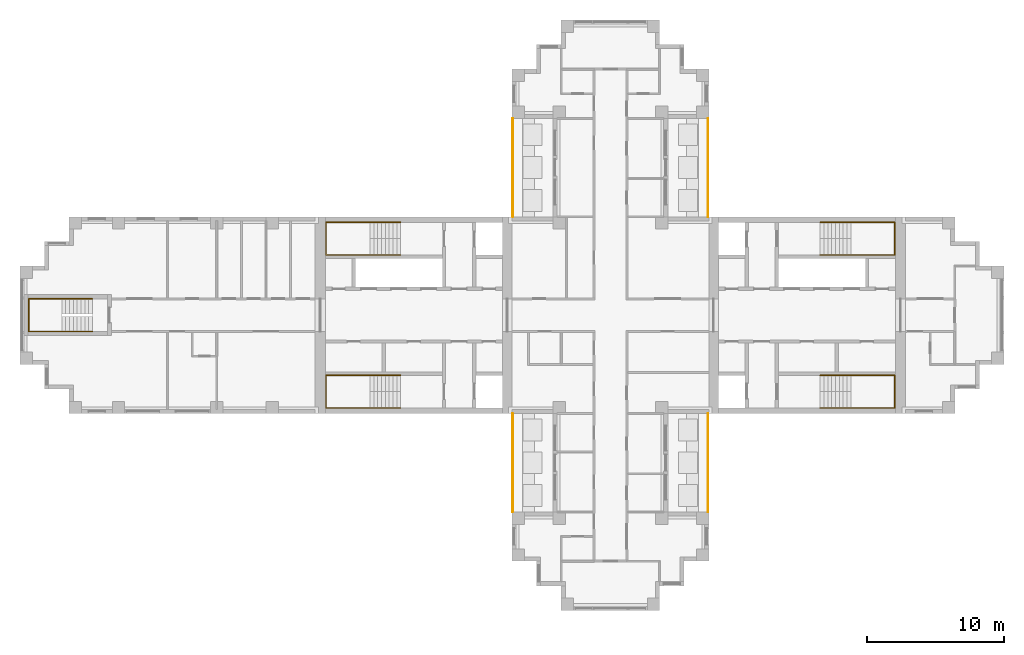
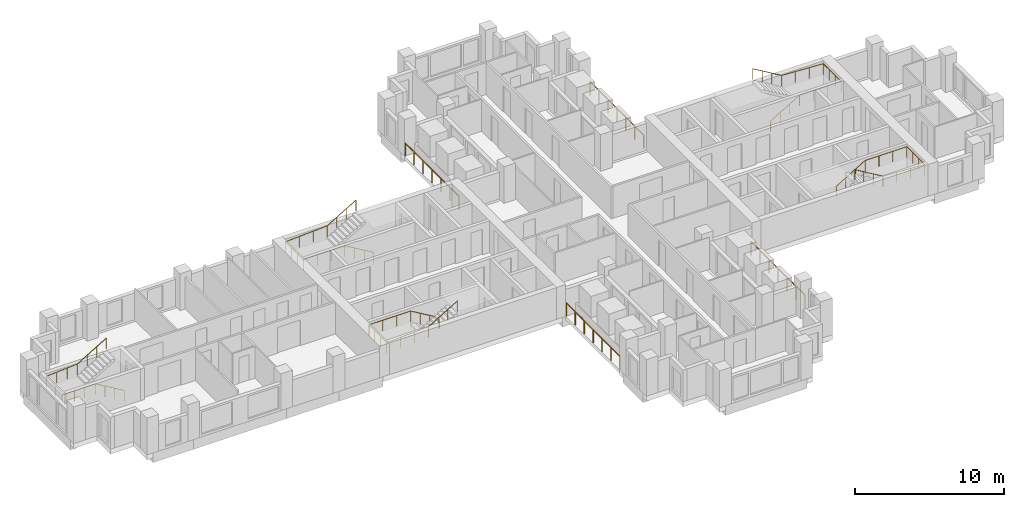
# One storey, part 10 of 11: 9 railings.
"""IFC4 building model written with IfcOpenShell, lengths in metres."""

from ifc_helpers import new_model, si_unit, direction, frame, origin, origin_2d, place, context, subcontext, project, spatial, circle, extrude, material, type_object, element, save


model = new_model("IFC4")

# Units and contexts
model_context = context("Model", 3, precision=1e-05, world=origin(), true_north=direction((0.0, 1.0)))
body_context = subcontext(model_context, "Body", "Model", "MODEL_VIEW")
ifc_project = project(units=[si_unit("LENGTHUNIT", "METRE"), si_unit("AREAUNIT", "SQUARE_METRE"), si_unit("VOLUMEUNIT", "CUBIC_METRE"), si_unit("PLANEANGLEUNIT", "RADIAN"), si_unit("MASSUNIT", "GRAM", prefix="KILO")], contexts=[model_context])

# Site, building, storey
site_placement = place(None, origin())
site = spatial("IfcSite", under=ifc_project, at=site_placement, CompositionType="ELEMENT")
building_placement = place(site_placement, origin())
building = spatial("IfcBuilding", under=site, at=building_placement, Name="Fustian Cross Tower", CompositionType="ELEMENT")
storey_placement = place(building_placement, frame((0.0, 0.0, 173.699951171875)))
storey = spatial("IfcBuildingStorey", under=building, at=storey_placement, Name="L54", CompositionType="ELEMENT", Elevation=173.699951171875)

# Railings
ifc_material_1 = material(Name="Stainless steel and glass", Category="steel")
railing_type_1 = type_object("IfcRailingType", Name="GR1 BALCONY GUARD 1100", PredefinedType="GUARDRAIL", material=ifc_material_1)
for number, where, name in (
    (1, (7.14990234375, 7.199951171875, 0.0), "Balcony guard"),
    (2, (-7.14990234375, 7.199951171875, 0.0), "Balcony guard"),
    (3, (7.14990234375, -14.39990234375, 0.0), "Balcony guard"),
    (4, (-7.14990234375, -14.39990234375, 0.0), "Balcony guard"),
):
    element("IfcRailing", number, at=place(storey_placement, frame(where)), inside=storey, type_object=railing_type_1, Name=name, PredefinedType="GUARDRAIL", context=body_context, shape_type="SweptSolid", body=[
        extrude(circle(Radius=0.02392578125, at=origin_2d()), frame((0.0, 0.0, 1.076171875), z_axis=(0.0, 1.0, 0.0), x_axis=(-1.0, 0.0, 0.0)), (0.0, 0.0, 1.0), 7.199951171875),
        extrude(circle(Radius=0.02099609375, at=origin_2d()), origin(), (0.0, 0.0, 1.0), 1.052001953125),
        extrude(circle(Radius=0.02099609375, at=origin_2d()), frame((0.0, 1.199951171875, 0.0)), (0.0, 0.0, 1.0), 1.052001953125),
        extrude(circle(Radius=0.02099609375, at=origin_2d()), frame((0.0, 2.39990234375, 0.0)), (0.0, 0.0, 1.0), 1.052001953125),
        extrude(circle(Radius=0.02099609375, at=origin_2d()), frame((0.0, 3.60009765625, 0.0)), (0.0, 0.0, 1.0), 1.052001953125),
        extrude(circle(Radius=0.02099609375, at=origin_2d()), frame((0.0, 4.800048828125, 0.0)), (0.0, 0.0, 1.0), 1.052001953125),
        extrude(circle(Radius=0.02099609375, at=origin_2d()), frame((0.0, 6.0, 0.0)), (0.0, 0.0, 1.0), 1.052001953125),
        extrude(circle(Radius=0.02099609375, at=origin_2d()), frame((0.0, 7.199951171875, 0.0)), (0.0, 0.0, 1.0), 1.052001953125),
    ])
ifc_material_2 = material(Name="Stainless steel", Category="steel")
railing_type_2 = type_object("IfcRailingType", Name="STAIR HANDRAIL", PredefinedType="HANDRAIL", material=ifc_material_2)
railing_1_placement = place(storey_placement, frame((15.35009765625, 4.39990234375, 0.166748046875)))
element("IfcRailing", 5, at=railing_1_placement, inside=storey, type_object=railing_type_2, Name="Stair ST1 handrail 1", PredefinedType="HANDRAIL", context=body_context, shape_type="SweptSolid", body=[
    extrude(circle(Radius=0.02490234375, at=origin_2d()), frame((0.0, 0.0, 0.875), z_axis=(0.859305625298, 0.0, 0.511462454469), x_axis=(0.0, 1.0, 0.0)), (0.0, 0.0, 1.0), 2.606689453125),
    extrude(circle(Radius=0.02490234375, at=origin_2d()), frame((2.239990234375, 0.0, 2.2080078125), z_axis=(1.0, 0.0, 0.0), x_axis=(0.0, 1.0, 0.0)), (0.0, 0.0, 1.0), 3.219970703125),
    extrude(circle(Radius=0.02490234375, at=origin_2d()), frame((5.4599609375, 0.0, 2.2080078125), z_axis=(0.0, 1.0, 0.0), x_axis=(-1.0, 0.0, 0.0)), (0.0, 0.0, 1.0), 2.400146484375),
    extrude(circle(Radius=0.02490234375, at=origin_2d()), frame((5.4599609375, 2.400146484375, 2.2080078125), z_axis=(-0.998661817807, 0.0, 0.051716280352), x_axis=(0.0, -1.0, 0.0)), (0.0, 0.0, 1.0), 3.224365234375),
    extrude(circle(Radius=0.02490234375, at=origin_2d()), frame((2.239990234375, 2.400146484375, 2.375), z_axis=(-0.859305625298, 0.0, 0.511462454469), x_axis=(0.0, -1.0, 0.0)), (0.0, 0.0, 1.0), 2.606689453125),
    extrude(circle(Radius=0.02001953125, at=origin_2d()), origin(), (0.0, 0.0, 1.0), 0.849853515625),
    extrude(circle(Radius=0.02001953125, at=origin_2d()), frame((0.74658203125, 0.0, 0.4443359375)), (0.0, 0.0, 1.0), 0.849853515625),
    extrude(circle(Radius=0.02001953125, at=origin_2d()), frame((1.493408203125, 0.0, 0.888916015625)), (0.0, 0.0, 1.0), 0.849853515625),
    extrude(circle(Radius=0.02001953125, at=origin_2d()), frame((2.239990234375, 0.0, 1.333251953125)), (0.0, 0.0, 1.0), 0.849853515625),
    extrude(circle(Radius=0.02001953125, at=origin_2d()), frame((3.313232421875, 0.0, 1.333251953125)), (0.0, 0.0, 1.0), 0.849853515625),
    extrude(circle(Radius=0.02001953125, at=origin_2d()), frame((4.38671875, 0.0, 1.333251953125)), (0.0, 0.0, 1.0), 0.849853515625),
    extrude(circle(Radius=0.02001953125, at=origin_2d()), frame((5.4599609375, 0.0, 1.333251953125)), (0.0, 0.0, 1.0), 0.849853515625),
    extrude(circle(Radius=0.02001953125, at=origin_2d()), frame((5.4599609375, 0.800048828125, 1.333251953125)), (0.0, 0.0, 1.0), 0.849853515625),
    extrude(circle(Radius=0.02001953125, at=origin_2d()), frame((5.4599609375, 1.60009765625, 1.333251953125)), (0.0, 0.0, 1.0), 0.849853515625),
    extrude(circle(Radius=0.02001953125, at=origin_2d()), frame((5.4599609375, 2.400146484375, 1.333251953125)), (0.0, 0.0, 1.0), 0.849853515625),
    extrude(circle(Radius=0.02001953125, at=origin_2d()), frame((4.38671875, 2.400146484375, 1.388916015625)), (0.0, 0.0, 1.0), 0.849853515625),
    extrude(circle(Radius=0.02001953125, at=origin_2d()), frame((3.313232421875, 2.400146484375, 1.4443359375)), (0.0, 0.0, 1.0), 0.849853515625),
    extrude(circle(Radius=0.02001953125, at=origin_2d()), frame((2.239990234375, 2.400146484375, 1.5)), (0.0, 0.0, 1.0), 0.849853515625),
    extrude(circle(Radius=0.02001953125, at=origin_2d()), frame((1.493408203125, 2.400146484375, 1.9443359375)), (0.0, 0.0, 1.0), 0.849853515625),
    extrude(circle(Radius=0.02001953125, at=origin_2d()), frame((0.74658203125, 2.400146484375, 2.388916015625)), (0.0, 0.0, 1.0), 0.849853515625),
    extrude(circle(Radius=0.02001953125, at=origin_2d()), frame((0.0, 2.400146484375, 2.833251953125)), (0.0, 0.0, 1.0), 0.849853515625),
])
railing_2_placement = place(storey_placement, frame((15.35009765625, -4.39990234375, 0.166748046875)))
element("IfcRailing", 6, at=railing_2_placement, inside=storey, type_object=railing_type_2, Name="Stair ST2 handrail 1", PredefinedType="HANDRAIL", context=body_context, shape_type="SweptSolid", body=[
    extrude(circle(Radius=0.02490234375, at=origin_2d()), frame((0.0, 0.0, 0.875), z_axis=(0.859305625298, 0.0, 0.511462454469), x_axis=(0.0, 1.0, 0.0)), (0.0, 0.0, 1.0), 2.606689453125),
    extrude(circle(Radius=0.02490234375, at=origin_2d()), frame((2.239990234375, 0.0, 2.2080078125), z_axis=(1.0, 0.0, 0.0), x_axis=(0.0, 1.0, 0.0)), (0.0, 0.0, 1.0), 3.219970703125),
    extrude(circle(Radius=0.02490234375, at=origin_2d()), frame((5.4599609375, 0.0, 2.2080078125), z_axis=(0.0, -1.0, 0.0), x_axis=(1.0, 0.0, 0.0)), (0.0, 0.0, 1.0), 2.400146484375),
    extrude(circle(Radius=0.02490234375, at=origin_2d()), frame((5.4599609375, -2.400146484375, 2.2080078125), z_axis=(-0.998661817807, 0.0, 0.051716280352), x_axis=(0.0, -1.0, 0.0)), (0.0, 0.0, 1.0), 3.224365234375),
    extrude(circle(Radius=0.02490234375, at=origin_2d()), frame((2.239990234375, -2.400146484375, 2.375), z_axis=(-0.859305625298, 0.0, 0.511462454469), x_axis=(0.0, -1.0, 0.0)), (0.0, 0.0, 1.0), 2.606689453125),
    extrude(circle(Radius=0.02001953125, at=origin_2d()), origin(), (0.0, 0.0, 1.0), 0.849853515625),
    extrude(circle(Radius=0.02001953125, at=origin_2d()), frame((0.74658203125, 0.0, 0.4443359375)), (0.0, 0.0, 1.0), 0.849853515625),
    extrude(circle(Radius=0.02001953125, at=origin_2d()), frame((1.493408203125, 0.0, 0.888916015625)), (0.0, 0.0, 1.0), 0.849853515625),
    extrude(circle(Radius=0.02001953125, at=origin_2d()), frame((2.239990234375, 0.0, 1.333251953125)), (0.0, 0.0, 1.0), 0.849853515625),
    extrude(circle(Radius=0.02001953125, at=origin_2d()), frame((3.313232421875, 0.0, 1.333251953125)), (0.0, 0.0, 1.0), 0.849853515625),
    extrude(circle(Radius=0.02001953125, at=origin_2d()), frame((4.38671875, 0.0, 1.333251953125)), (0.0, 0.0, 1.0), 0.849853515625),
    extrude(circle(Radius=0.02001953125, at=origin_2d()), frame((5.4599609375, 0.0, 1.333251953125)), (0.0, 0.0, 1.0), 0.849853515625),
    extrude(circle(Radius=0.02001953125, at=origin_2d()), frame((5.4599609375, -0.800048828125, 1.333251953125)), (0.0, 0.0, 1.0), 0.849853515625),
    extrude(circle(Radius=0.02001953125, at=origin_2d()), frame((5.4599609375, -1.60009765625, 1.333251953125)), (0.0, 0.0, 1.0), 0.849853515625),
    extrude(circle(Radius=0.02001953125, at=origin_2d()), frame((5.4599609375, -2.400146484375, 1.333251953125)), (0.0, 0.0, 1.0), 0.849853515625),
    extrude(circle(Radius=0.02001953125, at=origin_2d()), frame((4.38671875, -2.400146484375, 1.388916015625)), (0.0, 0.0, 1.0), 0.849853515625),
    extrude(circle(Radius=0.02001953125, at=origin_2d()), frame((3.313232421875, -2.400146484375, 1.4443359375)), (0.0, 0.0, 1.0), 0.849853515625),
    extrude(circle(Radius=0.02001953125, at=origin_2d()), frame((2.239990234375, -2.400146484375, 1.5)), (0.0, 0.0, 1.0), 0.849853515625),
    extrude(circle(Radius=0.02001953125, at=origin_2d()), frame((1.493408203125, -2.400146484375, 1.9443359375)), (0.0, 0.0, 1.0), 0.849853515625),
    extrude(circle(Radius=0.02001953125, at=origin_2d()), frame((0.74658203125, -2.400146484375, 2.388916015625)), (0.0, 0.0, 1.0), 0.849853515625),
    extrude(circle(Radius=0.02001953125, at=origin_2d()), frame((0.0, -2.400146484375, 2.833251953125)), (0.0, 0.0, 1.0), 0.849853515625),
])
railing_3_placement = place(storey_placement, frame((-15.35009765625, 4.39990234375, 0.166748046875)))
element("IfcRailing", 7, at=railing_3_placement, inside=storey, type_object=railing_type_2, Name="Stair ST3 handrail 1", PredefinedType="HANDRAIL", context=body_context, shape_type="SweptSolid", body=[
    extrude(circle(Radius=0.02490234375, at=origin_2d()), frame((0.0, 0.0, 0.875), z_axis=(-0.859305625298, 0.0, 0.511462454469), x_axis=(0.0, -1.0, 0.0)), (0.0, 0.0, 1.0), 2.606689453125),
    extrude(circle(Radius=0.02490234375, at=origin_2d()), frame((-2.239990234375, 0.0, 2.2080078125), z_axis=(-1.0, 0.0, 0.0), x_axis=(0.0, -1.0, 0.0)), (0.0, 0.0, 1.0), 3.219970703125),
    extrude(circle(Radius=0.02490234375, at=origin_2d()), frame((-5.4599609375, 0.0, 2.2080078125), z_axis=(0.0, 1.0, 0.0), x_axis=(-1.0, 0.0, 0.0)), (0.0, 0.0, 1.0), 2.400146484375),
    extrude(circle(Radius=0.02490234375, at=origin_2d()), frame((-5.4599609375, 2.400146484375, 2.2080078125), z_axis=(0.998661817807, 0.0, 0.051716280352), x_axis=(0.0, 1.0, 0.0)), (0.0, 0.0, 1.0), 3.224365234375),
    extrude(circle(Radius=0.02490234375, at=origin_2d()), frame((-2.239990234375, 2.400146484375, 2.375), z_axis=(0.859305625298, 0.0, 0.511462454469), x_axis=(0.0, 1.0, 0.0)), (0.0, 0.0, 1.0), 2.606689453125),
    extrude(circle(Radius=0.02001953125, at=origin_2d()), origin(), (0.0, 0.0, 1.0), 0.849853515625),
    extrude(circle(Radius=0.02001953125, at=origin_2d()), frame((-0.74658203125, 0.0, 0.4443359375)), (0.0, 0.0, 1.0), 0.849853515625),
    extrude(circle(Radius=0.02001953125, at=origin_2d()), frame((-1.493408203125, 0.0, 0.888916015625)), (0.0, 0.0, 1.0), 0.849853515625),
    extrude(circle(Radius=0.02001953125, at=origin_2d()), frame((-2.239990234375, 0.0, 1.333251953125)), (0.0, 0.0, 1.0), 0.849853515625),
    extrude(circle(Radius=0.02001953125, at=origin_2d()), frame((-3.313232421875, 0.0, 1.333251953125)), (0.0, 0.0, 1.0), 0.849853515625),
    extrude(circle(Radius=0.02001953125, at=origin_2d()), frame((-4.38671875, 0.0, 1.333251953125)), (0.0, 0.0, 1.0), 0.849853515625),
    extrude(circle(Radius=0.02001953125, at=origin_2d()), frame((-5.4599609375, 0.0, 1.333251953125)), (0.0, 0.0, 1.0), 0.849853515625),
    extrude(circle(Radius=0.02001953125, at=origin_2d()), frame((-5.4599609375, 0.800048828125, 1.333251953125)), (0.0, 0.0, 1.0), 0.849853515625),
    extrude(circle(Radius=0.02001953125, at=origin_2d()), frame((-5.4599609375, 1.60009765625, 1.333251953125)), (0.0, 0.0, 1.0), 0.849853515625),
    extrude(circle(Radius=0.02001953125, at=origin_2d()), frame((-5.4599609375, 2.400146484375, 1.333251953125)), (0.0, 0.0, 1.0), 0.849853515625),
    extrude(circle(Radius=0.02001953125, at=origin_2d()), frame((-4.38671875, 2.400146484375, 1.388916015625)), (0.0, 0.0, 1.0), 0.849853515625),
    extrude(circle(Radius=0.02001953125, at=origin_2d()), frame((-3.313232421875, 2.400146484375, 1.4443359375)), (0.0, 0.0, 1.0), 0.849853515625),
    extrude(circle(Radius=0.02001953125, at=origin_2d()), frame((-2.239990234375, 2.400146484375, 1.5)), (0.0, 0.0, 1.0), 0.849853515625),
    extrude(circle(Radius=0.02001953125, at=origin_2d()), frame((-1.493408203125, 2.400146484375, 1.9443359375)), (0.0, 0.0, 1.0), 0.849853515625),
    extrude(circle(Radius=0.02001953125, at=origin_2d()), frame((-0.74658203125, 2.400146484375, 2.388916015625)), (0.0, 0.0, 1.0), 0.849853515625),
    extrude(circle(Radius=0.02001953125, at=origin_2d()), frame((0.0, 2.400146484375, 2.833251953125)), (0.0, 0.0, 1.0), 0.849853515625),
])
railing_4_placement = place(storey_placement, frame((-15.35009765625, -4.39990234375, 0.166748046875)))
element("IfcRailing", 8, at=railing_4_placement, inside=storey, type_object=railing_type_2, Name="Stair ST4 handrail 1", PredefinedType="HANDRAIL", context=body_context, shape_type="SweptSolid", body=[
    extrude(circle(Radius=0.02490234375, at=origin_2d()), frame((0.0, 0.0, 0.875), z_axis=(-0.859305625298, 0.0, 0.511462454469), x_axis=(0.0, -1.0, 0.0)), (0.0, 0.0, 1.0), 2.606689453125),
    extrude(circle(Radius=0.02490234375, at=origin_2d()), frame((-2.239990234375, 0.0, 2.2080078125), z_axis=(-1.0, 0.0, 0.0), x_axis=(0.0, -1.0, 0.0)), (0.0, 0.0, 1.0), 3.219970703125),
    extrude(circle(Radius=0.02490234375, at=origin_2d()), frame((-5.4599609375, 0.0, 2.2080078125), z_axis=(0.0, -1.0, 0.0), x_axis=(1.0, 0.0, 0.0)), (0.0, 0.0, 1.0), 2.400146484375),
    extrude(circle(Radius=0.02490234375, at=origin_2d()), frame((-5.4599609375, -2.400146484375, 2.2080078125), z_axis=(0.998661817807, 0.0, 0.051716280352), x_axis=(0.0, 1.0, 0.0)), (0.0, 0.0, 1.0), 3.224365234375),
    extrude(circle(Radius=0.02490234375, at=origin_2d()), frame((-2.239990234375, -2.400146484375, 2.375), z_axis=(0.859305625298, 0.0, 0.511462454469), x_axis=(0.0, 1.0, 0.0)), (0.0, 0.0, 1.0), 2.606689453125),
    extrude(circle(Radius=0.02001953125, at=origin_2d()), origin(), (0.0, 0.0, 1.0), 0.849853515625),
    extrude(circle(Radius=0.02001953125, at=origin_2d()), frame((-0.74658203125, 0.0, 0.4443359375)), (0.0, 0.0, 1.0), 0.849853515625),
    extrude(circle(Radius=0.02001953125, at=origin_2d()), frame((-1.493408203125, 0.0, 0.888916015625)), (0.0, 0.0, 1.0), 0.849853515625),
    extrude(circle(Radius=0.02001953125, at=origin_2d()), frame((-2.239990234375, 0.0, 1.333251953125)), (0.0, 0.0, 1.0), 0.849853515625),
    extrude(circle(Radius=0.02001953125, at=origin_2d()), frame((-3.313232421875, 0.0, 1.333251953125)), (0.0, 0.0, 1.0), 0.849853515625),
    extrude(circle(Radius=0.02001953125, at=origin_2d()), frame((-4.38671875, 0.0, 1.333251953125)), (0.0, 0.0, 1.0), 0.849853515625),
    extrude(circle(Radius=0.02001953125, at=origin_2d()), frame((-5.4599609375, 0.0, 1.333251953125)), (0.0, 0.0, 1.0), 0.849853515625),
    extrude(circle(Radius=0.02001953125, at=origin_2d()), frame((-5.4599609375, -0.800048828125, 1.333251953125)), (0.0, 0.0, 1.0), 0.849853515625),
    extrude(circle(Radius=0.02001953125, at=origin_2d()), frame((-5.4599609375, -1.60009765625, 1.333251953125)), (0.0, 0.0, 1.0), 0.849853515625),
    extrude(circle(Radius=0.02001953125, at=origin_2d()), frame((-5.4599609375, -2.400146484375, 1.333251953125)), (0.0, 0.0, 1.0), 0.849853515625),
    extrude(circle(Radius=0.02001953125, at=origin_2d()), frame((-4.38671875, -2.400146484375, 1.388916015625)), (0.0, 0.0, 1.0), 0.849853515625),
    extrude(circle(Radius=0.02001953125, at=origin_2d()), frame((-3.313232421875, -2.400146484375, 1.4443359375)), (0.0, 0.0, 1.0), 0.849853515625),
    extrude(circle(Radius=0.02001953125, at=origin_2d()), frame((-2.239990234375, -2.400146484375, 1.5)), (0.0, 0.0, 1.0), 0.849853515625),
    extrude(circle(Radius=0.02001953125, at=origin_2d()), frame((-1.493408203125, -2.400146484375, 1.9443359375)), (0.0, 0.0, 1.0), 0.849853515625),
    extrude(circle(Radius=0.02001953125, at=origin_2d()), frame((-0.74658203125, -2.400146484375, 2.388916015625)), (0.0, 0.0, 1.0), 0.849853515625),
    extrude(circle(Radius=0.02001953125, at=origin_2d()), frame((0.0, -2.400146484375, 2.833251953125)), (0.0, 0.0, 1.0), 0.849853515625),
])
railing_5_placement = place(storey_placement, frame((-37.89990234375, -1.199951171875, 0.166748046875)))
element("IfcRailing", 9, at=railing_5_placement, inside=storey, type_object=railing_type_2, Name="Stair ST9 handrail 1", PredefinedType="HANDRAIL", context=body_context, shape_type="SweptSolid", body=[
    extrude(circle(Radius=0.02490234375, at=origin_2d()), frame((0.0, 0.0, 0.875), z_axis=(-0.859305625298, 0.0, 0.511462454469), x_axis=(0.0, -1.0, 0.0)), (0.0, 0.0, 1.0), 2.606689453125),
    extrude(circle(Radius=0.02490234375, at=origin_2d()), frame((-2.239990234375, 0.0, 2.2080078125), z_axis=(-1.0, 0.0, 0.0), x_axis=(0.0, -1.0, 0.0)), (0.0, 0.0, 1.0), 2.420166015625),
    extrude(circle(Radius=0.02490234375, at=origin_2d()), frame((-4.66015625, 0.0, 2.2080078125), z_axis=(0.0, 1.0, 0.0), x_axis=(-1.0, 0.0, 0.0)), (0.0, 0.0, 1.0), 2.39990234375),
    extrude(circle(Radius=0.02490234375, at=origin_2d()), frame((-4.66015625, 2.39990234375, 2.2080078125), z_axis=(0.997634852044, 0.0, 0.068736467663), x_axis=(0.0, 1.0, 0.0)), (0.0, 0.0, 1.0), 2.426025390625),
    extrude(circle(Radius=0.02490234375, at=origin_2d()), frame((-2.239990234375, 2.39990234375, 2.375), z_axis=(0.859305625298, 0.0, 0.511462454469), x_axis=(0.0, 1.0, 0.0)), (0.0, 0.0, 1.0), 2.606689453125),
    extrude(circle(Radius=0.02001953125, at=origin_2d()), origin(), (0.0, 0.0, 1.0), 0.849853515625),
    extrude(circle(Radius=0.02001953125, at=origin_2d()), frame((-0.74658203125, 0.0, 0.4443359375)), (0.0, 0.0, 1.0), 0.849853515625),
    extrude(circle(Radius=0.02001953125, at=origin_2d()), frame((-1.493408203125, 0.0, 0.888916015625)), (0.0, 0.0, 1.0), 0.849853515625),
    extrude(circle(Radius=0.02001953125, at=origin_2d()), frame((-2.239990234375, 0.0, 1.333251953125)), (0.0, 0.0, 1.0), 0.849853515625),
    extrude(circle(Radius=0.02001953125, at=origin_2d()), frame((-3.046630859375, 0.0, 1.333251953125)), (0.0, 0.0, 1.0), 0.849853515625),
    extrude(circle(Radius=0.02001953125, at=origin_2d()), frame((-3.853515625, 0.0, 1.333251953125)), (0.0, 0.0, 1.0), 0.849853515625),
    extrude(circle(Radius=0.02001953125, at=origin_2d()), frame((-4.66015625, 0.0, 1.333251953125)), (0.0, 0.0, 1.0), 0.849853515625),
    extrude(circle(Radius=0.02001953125, at=origin_2d()), frame((-4.66015625, 1.199951171875, 1.333251953125)), (0.0, 0.0, 1.0), 0.849853515625),
    extrude(circle(Radius=0.02001953125, at=origin_2d()), frame((-4.66015625, 2.39990234375, 1.333251953125)), (0.0, 0.0, 1.0), 0.849853515625),
    extrude(circle(Radius=0.02001953125, at=origin_2d()), frame((-3.853515625, 2.39990234375, 1.388916015625)), (0.0, 0.0, 1.0), 0.849853515625),
    extrude(circle(Radius=0.02001953125, at=origin_2d()), frame((-3.046630859375, 2.39990234375, 1.4443359375)), (0.0, 0.0, 1.0), 0.849853515625),
    extrude(circle(Radius=0.02001953125, at=origin_2d()), frame((-2.239990234375, 2.39990234375, 1.5)), (0.0, 0.0, 1.0), 0.849853515625),
    extrude(circle(Radius=0.02001953125, at=origin_2d()), frame((-1.493408203125, 2.39990234375, 1.9443359375)), (0.0, 0.0, 1.0), 0.849853515625),
    extrude(circle(Radius=0.02001953125, at=origin_2d()), frame((-0.74658203125, 2.39990234375, 2.388916015625)), (0.0, 0.0, 1.0), 0.849853515625),
    extrude(circle(Radius=0.02001953125, at=origin_2d()), frame((0.0, 2.39990234375, 2.833251953125)), (0.0, 0.0, 1.0), 0.849853515625),
])

save(model, "model.ifc")
